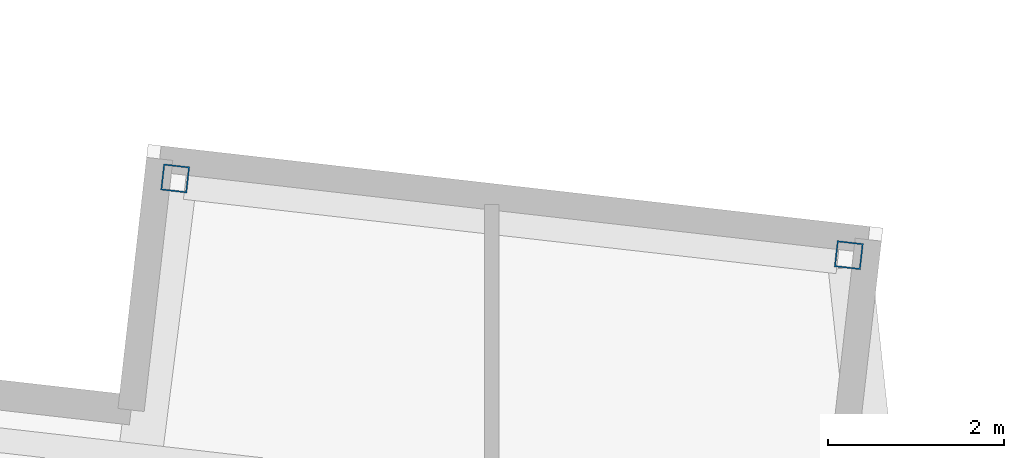
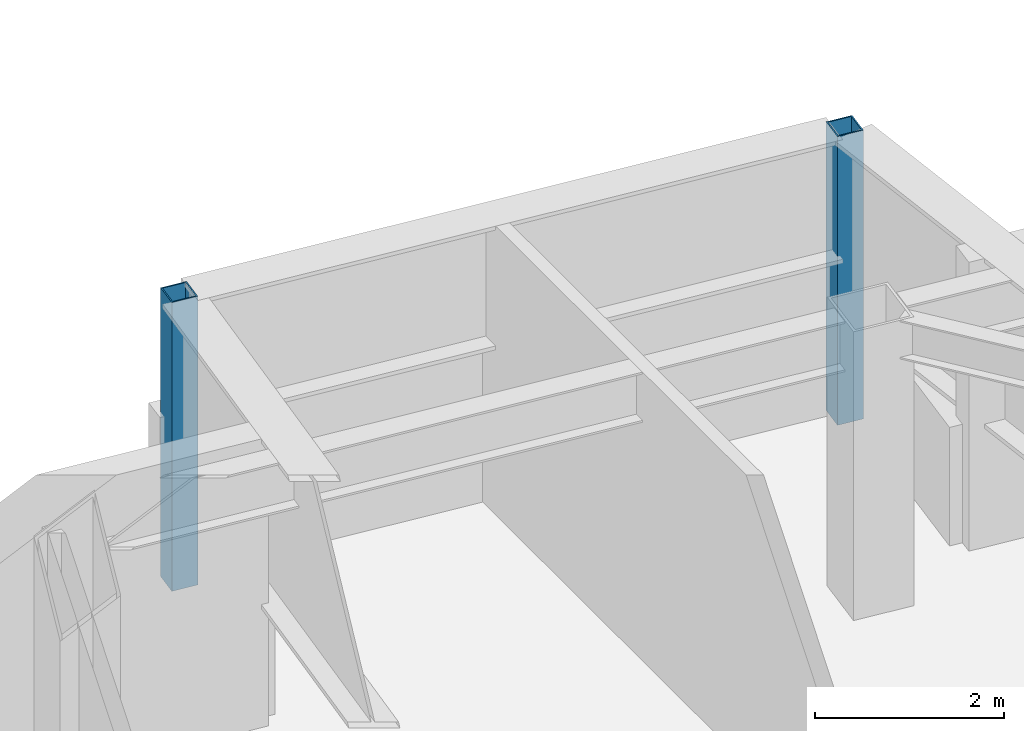
# One storey, part 2 of 22: 2 columns.
"""IFC4 building model written with IfcOpenShell, lengths in metres."""

import ifcopenshell
import ifcopenshell.guid

model = None  # the IFC model being written
_history = None  # IfcOwnerHistory: only IFC2X3 demands one
_inside = {}  # id of a spatial element -> (the spatial element, [elements in it])
_under = {}  # id of a project, library or spatial element -> (it, [spatial elements below it])
_declared = {}  # id of a project -> (the project, [libraries it declares])
_typed = {}  # id of a type object -> (the type object, [elements of that type])
_made_of = {}  # id of a material, layer set ... -> (it, [elements and type objects made of it])


def new_model(schema):
    """Start an empty IFC model of exactly this schema.

    Asked for "IFC4X3", IfcOpenShell would pick the latest addendum, in which some entities
    have other attributes; the version numbers below select the first issue.
    IFC2X3 requires an IfcOwnerHistory on every rooted entity: one is made here for all.
    """
    global model, _history
    if schema == "IFC4X3":
        model = ifcopenshell.file(schema_version=(4, 3, 0, 0))
    else:
        model = ifcopenshell.file(schema=schema)
    _inside.clear()
    _under.clear()
    _declared.clear()
    _typed.clear()
    _made_of.clear()
    _history = None
    if model.schema == "IFC2X3":
        org = make("IfcOrganization", Name="unknown")
        user = make(
            "IfcPersonAndOrganization",
            ThePerson=make("IfcPerson", FamilyName="unknown"),
            TheOrganization=org,
        )
        app = make(
            "IfcApplication",
            ApplicationDeveloper=org,
            Version="unknown",
            ApplicationFullName="unknown",
            ApplicationIdentifier="unknown",
        )
        _history = make(
            "IfcOwnerHistory",
            OwningUser=user,
            OwningApplication=app,
            ChangeAction="ADDED",
            CreationDate=0,
        )
    return model


def make(cls, **values):
    """One entity of the class cls with the attributes given. An attribute that is None is left unset."""
    return model.create_entity(
        cls, **{name: value for name, value in values.items() if value is not None}
    )


def rooted(cls, **values):
    """An entity with a GlobalId (a new one), such as an element, a storey or a relation."""
    return make(cls, GlobalId=ifcopenshell.guid.new(), OwnerHistory=_history, **values)


def si_unit(unit_type, name, prefix=None):
    """IfcSIUnit, for example si_unit("LENGTHUNIT", "METRE", prefix="MILLI")."""
    return make("IfcSIUnit", UnitType=unit_type, Prefix=prefix, Name=name)


def assignment(units):
    """IfcUnitAssignment: the units of a project."""
    return None if units is None else make("IfcUnitAssignment", Units=units)


def point(xyz):
    """IfcCartesianPoint."""
    return None if xyz is None else make("IfcCartesianPoint", Coordinates=xyz)


def direction(xyz):
    """IfcDirection."""
    return None if xyz is None else make("IfcDirection", DirectionRatios=xyz)


def frame(location, z_axis=None, x_axis=None):
    """IfcAxis2Placement3D, a coordinate frame: its origin and axes. An axis left out is left unset."""
    return make(
        "IfcAxis2Placement3D",
        Location=point(location),
        Axis=direction(z_axis),
        RefDirection=direction(x_axis),
    )


def frame_2d(location, x_axis=None):
    """IfcAxis2Placement2D, a coordinate frame in the plane: its origin and x axis."""
    return make(
        "IfcAxis2Placement2D", Location=point(location), RefDirection=direction(x_axis)
    )


def origin():
    """The frame at (0, 0, 0) with its axes left unset."""
    return frame((0.0, 0.0, 0.0))


def origin_2d():
    """The frame at (0, 0) in the plane with its x axis left unset."""
    return frame_2d((0.0, 0.0))


def place(relative_to, where):
    """IfcLocalPlacement: puts the frame where relative to a parent placement (None: the world)."""
    return make(
        "IfcLocalPlacement", PlacementRelTo=relative_to, RelativePlacement=where
    )


def context(
    kind, dimensions, precision=None, world=None, true_north=None, identifier=None
):
    """IfcGeometricRepresentationContext, for example the 3D "Model" context."""
    return make(
        "IfcGeometricRepresentationContext",
        ContextIdentifier=identifier,
        ContextType=kind,
        CoordinateSpaceDimension=dimensions,
        Precision=precision,
        WorldCoordinateSystem=world,
        TrueNorth=true_north,
    )


def subcontext(parent, identifier, kind, view, scale=None):
    """IfcGeometricRepresentationSubContext, for example "Body" below "Model"."""
    return make(
        "IfcGeometricRepresentationSubContext",
        ContextIdentifier=identifier,
        ContextType=kind,
        ParentContext=parent,
        TargetScale=scale,
        TargetView=view,
    )


def project(units=None, contexts=None):
    """IfcProject with its units and contexts."""
    return rooted(
        "IfcProject",
        Name="project",
        RepresentationContexts=contexts,
        UnitsInContext=assignment(units),
    )


def spatial(cls, under=None, at=None, **own):
    """A site, building, storey or space (cls), placed at a placement, below another one or the project."""
    s = rooted(cls, ObjectPlacement=at, **own)
    if under is not None:
        _under.setdefault(under.id(), (under, []))[1].append(s)
    return s


def profile(cls, at=None, kind="AREA", **sizes):
    """A parametric profile (cls). Its sizes go by their IFC names, for example OverallWidth=200.0."""
    return make(cls, ProfileType=kind, Position=at, **sizes)


def hollow_rectangle(**sizes):
    """IfcRectangleHollowProfileDef."""
    return profile("IfcRectangleHollowProfileDef", **sizes)


def extrude(swept, where, along, depth):
    """IfcExtrudedAreaSolid: the profile swept, set in the frame where, extruded along a direction by depth."""
    return make(
        "IfcExtrudedAreaSolid",
        SweptArea=swept,
        Position=where,
        ExtrudedDirection=direction(along),
        Depth=depth,
    )


def shape(context_of_items, identifier, shape_type, items):
    """IfcShapeRepresentation: the items that make up one representation, for example the "Body"."""
    return make(
        "IfcShapeRepresentation",
        ContextOfItems=context_of_items,
        RepresentationIdentifier=identifier,
        RepresentationType=shape_type,
        Items=items,
    )


def material(Name=None, Category=None):
    """IfcMaterial."""
    return make("IfcMaterial", Name=Name, Category=Category)


def material_profile(
    of_material, cross_section, Name=None, Category=None, Priority=None
):
    """IfcMaterialProfile: a cross section and its material."""
    return make(
        "IfcMaterialProfile",
        Name=Name,
        Material=of_material,
        Profile=cross_section,
        Priority=Priority,
        Category=Category,
    )


def profile_set(profiles, Name=None, composite=None):
    """IfcMaterialProfileSet."""
    return make(
        "IfcMaterialProfileSet",
        Name=Name,
        MaterialProfiles=profiles,
        CompositeProfile=composite,
    )


def made_of(thing, what):
    """Note that an element or type object is made of a material, layer set ...; save() writes the relation."""
    if what is not None:
        _made_of.setdefault(what.id(), (what, []))[1].append(thing)
    return thing


def type_object(cls, material=None, **own):
    """A type object (cls), such as IfcWallType, which elements share."""
    return made_of(rooted(cls, **own), material)


def element(
    cls,
    number,
    at=None,
    inside=None,
    cuts=None,
    type_object=None,
    material=None,
    context=None,
    identifier="Body",
    shape_type=None,
    held_by="IfcProductDefinitionShape",
    body=None,
    shapes=None,
    **own,
):
    """One element of the class cls, such as IfcWall. Its Tag is "e" and its number.

    at: its placement. inside: the storey or other place that contains it. cuts: it is an
    opening in that element (IfcRelVoidsElement). A single representation is given by context,
    identifier, shape_type and body (its items); several are given by shapes. held_by: the class
    of the entity that holds the representations. save() writes the other relations.
    """
    e = rooted(cls, Tag="e%d" % number, ObjectPlacement=at, **own)
    if body is not None:
        shapes = [shape(context, identifier, shape_type, body)]
    if shapes is not None:
        e.Representation = make(held_by, Representations=shapes)
    if inside is not None:
        _inside.setdefault(inside.id(), (inside, []))[1].append(e)
    if cuts is not None:
        rooted(
            "IfcRelVoidsElement", RelatingBuildingElement=cuts, RelatedOpeningElement=e
        )
    if type_object is not None:
        _typed.setdefault(type_object.id(), (type_object, []))[1].append(e)
    return made_of(e, material)


def aggregate(whole, parts):
    """IfcRelAggregates: a whole, such as a stair, and the parts it consists of."""
    return rooted("IfcRelAggregates", RelatingObject=whole, RelatedObjects=parts)


def save(model, path):
    """Write the relations noted so far, then the file.

    IfcRelAggregates (storeys below a building ...), IfcRelContainedInSpatialStructure (elements
    in a storey), IfcRelDefinesByType, IfcRelAssociatesMaterial and IfcRelDeclares: one each for
    every whole, place, type object, material and project.
    """
    for whole, parts in _under.values():
        aggregate(whole, parts)
    for where, things in _inside.values():
        rooted(
            "IfcRelContainedInSpatialStructure",
            RelatedElements=things,
            RelatingStructure=where,
        )
    for kind, things in _typed.values():
        rooted("IfcRelDefinesByType", RelatedObjects=things, RelatingType=kind)
    for what, things in _made_of.values():
        rooted("IfcRelAssociatesMaterial", RelatedObjects=things, RelatingMaterial=what)
    for by, libraries in _declared.values():
        rooted("IfcRelDeclares", RelatingContext=by, RelatedDefinitions=libraries)
    model.write(path)


model = new_model("IFC4")

# Units and contexts
model_context = context("Model", 3, precision=1e-05, world=origin(), true_north=direction((0.0, 1.0)))
body_context = subcontext(model_context, "Body", "Model", "MODEL_VIEW")
ifc_project = project(units=[si_unit("LENGTHUNIT", "METRE"), si_unit("AREAUNIT", "SQUARE_METRE"), si_unit("VOLUMEUNIT", "CUBIC_METRE"), si_unit("PLANEANGLEUNIT", "RADIAN"), si_unit("MASSUNIT", "GRAM", prefix="KILO")], contexts=[model_context])

# Site, building, storey
site_placement = place(None, origin())
site = spatial("IfcSite", under=ifc_project, at=site_placement, CompositionType="ELEMENT")
building_placement = place(site_placement, origin())
building = spatial("IfcBuilding", under=site, at=building_placement, Name="Tavrogorsk Clinical Tower", CompositionType="ELEMENT")
storey_placement = place(building_placement, frame((0.0, 0.0, 117.39990234375)))
storey = spatial("IfcBuildingStorey", under=building, at=storey_placement, Name="L26", CompositionType="ELEMENT", Elevation=117.39990234375)

# Columns
ifc_material = material(Name="Structural steel S390", Category="steel")
ifc_material_profile = material_profile(ifc_material, hollow_rectangle(XDim=0.300048828125, YDim=0.300048828125, WallThickness=0.01611328125, at=origin_2d()), Name="SHS-300x300x16")
ifc_profile_set = profile_set([ifc_material_profile], Name="Structural steel S390")
column_type = type_object("IfcColumnType", Name="DayroomCol_SHS300", PredefinedType="COLUMN", material=ifc_profile_set)
for number, where, z_axis, x_axis, name in (
    (1, (12.594482421875, 24.51513671875, 0.0), (0.0, 0.0, 1.0), (0.993571855677, -0.113203213768, 0.0), "L26 Day-Room Box Column DRB-04-L"),
    (2, (20.244873046875, 23.6435546875, 0.0), (0.0, 0.0, 1.0), (0.993571855677, -0.113203213768, 0.0), "L26 Day-Room Box Column DRB-04-R"),
):
    element("IfcColumn", number, at=place(storey_placement, frame(where, z_axis=z_axis, x_axis=x_axis)), inside=storey, type_object=column_type, Name=name, PredefinedType="COLUMN", context=body_context, shape_type="SweptSolid", body=[
        extrude(hollow_rectangle(XDim=0.300048828125, YDim=0.300048828125, WallThickness=0.01611328125, at=origin_2d()), origin(), (0.0, 0.0, 1.0), 3.739990234375),
    ])

save(model, "model.ifc")
